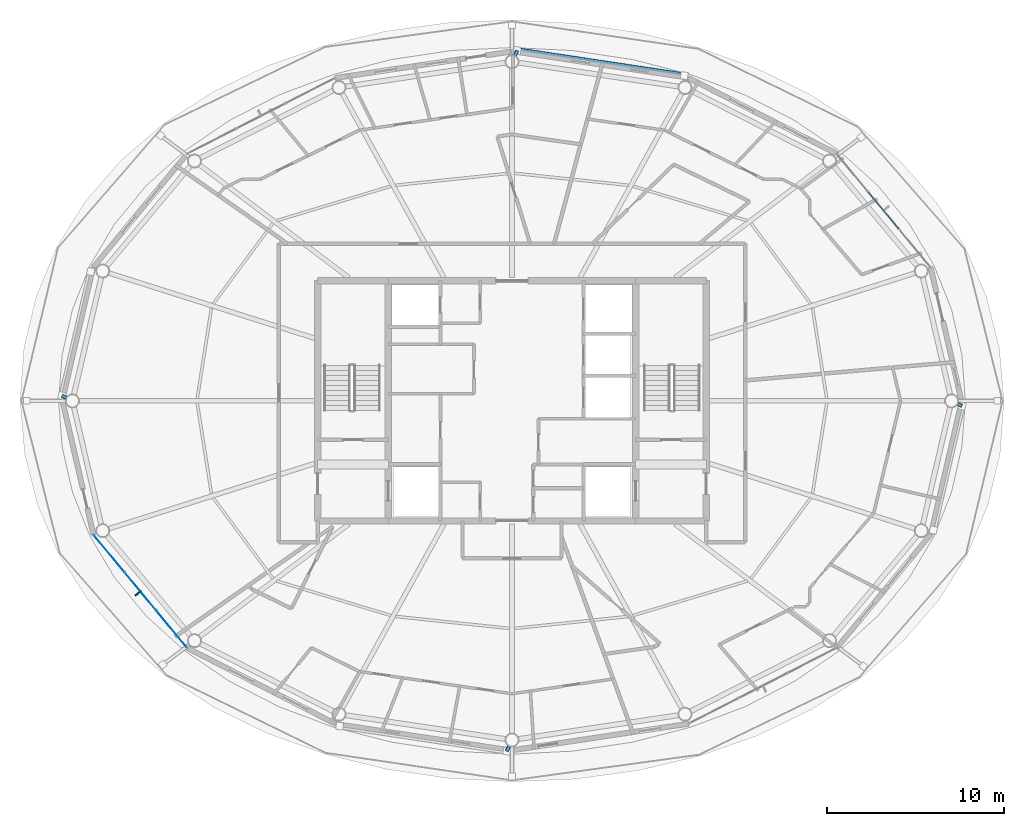
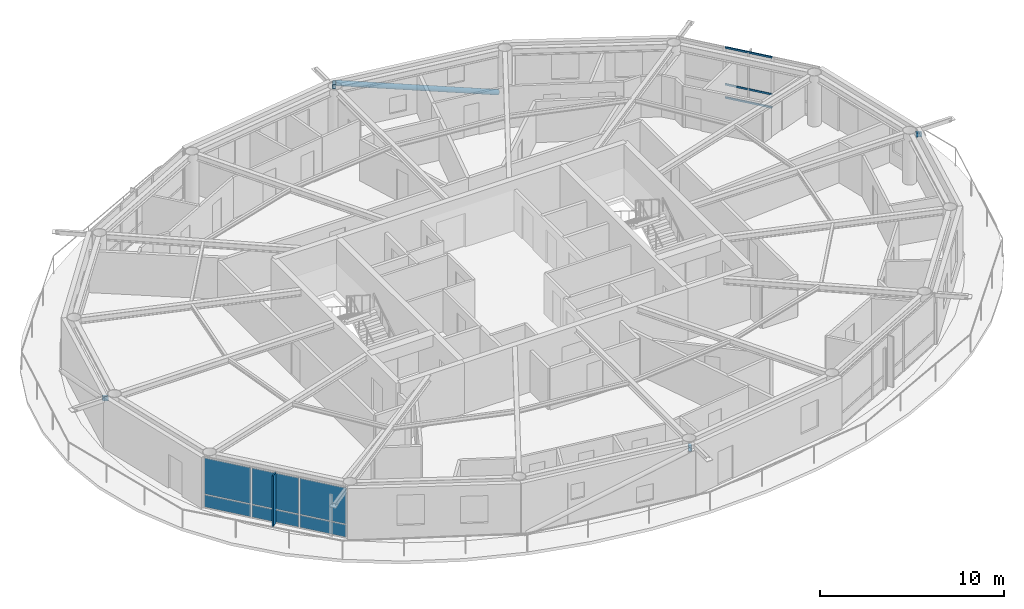
# One storey, part 12 of 23: 8 members, 7 plates, 2 elements without a shape of their own.
"""IFC4 building model written with IfcOpenShell, lengths in metres."""

from ifc_helpers import new_model, si_unit, direction, frame, origin, origin_2d, place, context, subcontext, project, spatial, rectangle, hollow_rectangle, hollow_circle, extrude, material, layer, layer_set, material_profile, profile_set, type_object, element, aggregate, save


model = new_model("IFC4")

# Units and contexts
model_context = context("Model", 3, precision=1e-05, world=origin(), true_north=direction((0.0, 1.0)))
body_context = subcontext(model_context, "Body", "Model", "MODEL_VIEW")
ifc_project = project(units=[si_unit("LENGTHUNIT", "METRE"), si_unit("AREAUNIT", "SQUARE_METRE"), si_unit("VOLUMEUNIT", "CUBIC_METRE"), si_unit("PLANEANGLEUNIT", "RADIAN"), si_unit("MASSUNIT", "GRAM", prefix="KILO")], contexts=[model_context])

# Site, building, storey
site_placement = place(None, origin())
site = spatial("IfcSite", under=ifc_project, at=site_placement, CompositionType="ELEMENT")
building_placement = place(site_placement, origin())
building = spatial("IfcBuilding", under=site, at=building_placement, Name="Sarneth Arch Tower", CompositionType="ELEMENT")
storey_placement = place(building_placement, frame((0.0, 0.0, 280.199951171875)))
storey = spatial("IfcBuildingStorey", under=building, at=storey_placement, Name="L72", CompositionType="ELEMENT", Elevation=280.199951171875)

# Curtain wall, members
ifc_material_1 = material(Name="Anodised aluminium Type AA25 and solar-control low-e laminated IGU", Category="aluminium")
ifc_layer_1 = layer(ifc_material_1, 0.179931640625)
ifc_layer_set_1 = layer_set([ifc_layer_1], Name="Anodised aluminium Type AA25 and solar-control low-e laminated IGU")
curtain_wall_type = type_object("IfcCurtainWallType", Name="CW-RES-HIGH", PredefinedType="NOTDEFINED", material=ifc_layer_set_1)
curtain_wall_1_placement = place(storey_placement, origin())
curtain_wall_1 = element("IfcCurtainWall", 1, at=curtain_wall_1_placement, inside=storey, type_object=curtain_wall_type, Name="L72 Unitised curtain wall facet 02", PredefinedType="NOTDEFINED")
ifc_material_2 = material(Name="Anodised Aluminium 6063-T6", Category="aluminium")
ifc_material_profile_1 = material_profile(ifc_material_2, hollow_rectangle(XDim=0.06005859375, YDim=0.1201171875, WallThickness=0.00390625, at=origin_2d()), Name="AL-TRAN-120x60x4")
ifc_profile_set_1 = profile_set([ifc_material_profile_1], Name="Anodised Aluminium 6063-T6")
member_type_1 = type_object("IfcMemberType", Name="CW-TRANSOM", PredefinedType="USERDEFINED", material=ifc_profile_set_1)
member_1_placement = place(storey_placement, frame((69.904296875, 51.731689453125, 0.030029296875), z_axis=(-0.637617371902, 0.770353222261, 0.0), x_axis=(-0.770353222261, -0.637617371902, 0.0)))
member_1 = element("IfcMember", 2, at=member_1_placement, type_object=member_type_1, Name="CW-SYS-6 transom 2.1", ObjectType="TRANSOM", PredefinedType="USERDEFINED", context=body_context, shape_type="SweptSolid", body=[
    extrude(hollow_rectangle(XDim=0.06005859375, YDim=0.1201171875, WallThickness=0.00390625, at=origin_2d()), origin(), (0.0, 0.0, 1.0), 2.716552734375),
])
member_2_placement = place(storey_placement, frame((69.904296875, 51.731689453125, 0.900146484375), z_axis=(-0.637617371902, 0.770353222261, 0.0), x_axis=(-0.770353222261, -0.637617371902, 0.0)))
member_2 = element("IfcMember", 3, at=member_2_placement, type_object=member_type_1, Name="CW-SYS-6 transom 2.2", ObjectType="TRANSOM", PredefinedType="USERDEFINED", context=body_context, shape_type="SweptSolid", body=[
    extrude(hollow_rectangle(XDim=0.06005859375, YDim=0.1201171875, WallThickness=0.00390625, at=origin_2d()), origin(), (0.0, 0.0, 1.0), 2.716552734375),
])
member_3_placement = place(storey_placement, frame((69.904296875, 51.731689453125, 3.340087890625), z_axis=(-0.637617371902, 0.770353222261, 0.0), x_axis=(-0.770353222261, -0.637617371902, 0.0)))
member_3 = element("IfcMember", 4, at=member_3_placement, type_object=member_type_1, Name="CW-SYS-6 transom 2.3", ObjectType="TRANSOM", PredefinedType="USERDEFINED", context=body_context, shape_type="SweptSolid", body=[
    extrude(hollow_rectangle(XDim=0.06005859375, YDim=0.1201171875, WallThickness=0.00390625, at=origin_2d()), origin(), (0.0, 0.0, 1.0), 2.716552734375),
])
aggregate(curtain_wall_1, [member_1, member_2, member_3])

# Members
ifc_material_3 = material(Name="Steel S355", Category="steel")
ifc_material_profile_2 = material_profile(ifc_material_3, hollow_rectangle(XDim=0.199951171875, YDim=0.300048828125, WallThickness=0.012451171875, InnerFilletRadius=0.018798828125, OuterFilletRadius=0.03125, at=origin_2d()), Name="RHS300x200x12.5")
ifc_profile_set_2 = profile_set([ifc_material_profile_2], Name="Steel S355")
member_type_2 = type_object("IfcMemberType", Name="MEM-CANT-STRUT", PredefinedType="STRUT", material=ifc_profile_set_2)
member_4_placement = place(storey_placement, frame((48.14501953125, 61.5107421875, 3.09228515625), z_axis=(0.423071936831, 0.906096096596, 0.0), x_axis=(-0.906096096596, 0.423071936831, 0.0)))
element("IfcMember", 5, at=member_4_placement, inside=storey, type_object=member_type_2, Name="L72 Exoskeleton brace node strut 04B", PredefinedType="STRUT", context=body_context, shape_type="SweptSolid", body=[
    extrude(hollow_rectangle(XDim=0.199951171875, YDim=0.300048828125, WallThickness=0.012451171875, InnerFilletRadius=0.018798828125, OuterFilletRadius=0.03125, at=origin_2d()), origin(), (0.0, 0.0, 1.0), 0.3583984375),
])
member_5_placement = place(storey_placement, frame((22.80908203125, 42.151611328125, 3.09228515625), z_axis=(-0.897170676041, 0.441684025128, 0.0), x_axis=(-0.441684025128, -0.897170676041, 0.0)))
element("IfcMember", 6, at=member_5_placement, inside=storey, type_object=member_type_2, Name="L72 Exoskeleton brace node strut 08B", PredefinedType="STRUT", context=body_context, shape_type="SweptSolid", body=[
    extrude(hollow_rectangle(XDim=0.199951171875, YDim=0.300048828125, WallThickness=0.012451171875, InnerFilletRadius=0.018798828125, OuterFilletRadius=0.03125, at=origin_2d()), origin(), (0.0, 0.0, 1.0), 0.318359375),
])
member_6_placement = place(storey_placement, frame((47.85498046875, 22.4892578125, 3.09228515625), z_axis=(-0.423071936831, -0.906096096596, 0.0), x_axis=(0.906096096596, -0.423071936831, 0.0)))
element("IfcMember", 7, at=member_6_placement, inside=storey, type_object=member_type_2, Name="L72 Exoskeleton brace node strut 12B", PredefinedType="STRUT", context=body_context, shape_type="SweptSolid", body=[
    extrude(hollow_rectangle(XDim=0.199951171875, YDim=0.300048828125, WallThickness=0.012451171875, InnerFilletRadius=0.018798828125, OuterFilletRadius=0.03125, at=origin_2d()), origin(), (0.0, 0.0, 1.0), 0.3583984375),
])
member_7_placement = place(storey_placement, frame((73.19091796875, 41.848388671875, 3.09228515625), z_axis=(0.897170676041, -0.441684025128, 0.0), x_axis=(0.441684025128, 0.897170676041, 0.0)))
element("IfcMember", 8, at=member_7_placement, inside=storey, type_object=member_type_2, Name="L72 Exoskeleton brace node strut 16B", PredefinedType="STRUT", context=body_context, shape_type="SweptSolid", body=[
    extrude(hollow_rectangle(XDim=0.199951171875, YDim=0.300048828125, WallThickness=0.012451171875, InnerFilletRadius=0.018798828125, OuterFilletRadius=0.03125, at=origin_2d()), origin(), (0.0, 0.0, 1.0), 0.318359375),
])
ifc_material_4 = material(Name="Steel S355", Category="steel")
ifc_material_profile_3 = material_profile(ifc_material_4, hollow_circle(Radius=0.162109375, WallThickness=0.012451171875, at=origin_2d()), Name="CHS324x12.5")
ifc_profile_set_3 = profile_set([ifc_material_profile_3], Name="Steel S355")
member_type_3 = type_object("IfcMemberType", Name="MEM-DIAG-BR3", PredefinedType="BRACE", material=ifc_profile_set_3)
member_8_placement = place(storey_placement, frame((57.754150390625, 60.411376953125, 0.02001953125), z_axis=(-0.941471055877, 0.141762627625, 0.305835917372), x_axis=(-0.148897148305, -0.988852688335, 0.0)))
element("IfcMember", 9, at=member_8_placement, inside=storey, type_object=member_type_3, Name="L72 Perimeter frame diagonal 04", PredefinedType="BRACE", context=body_context, shape_type="SweptSolid", body=[
    extrude(hollow_circle(Radius=0.162109375, WallThickness=0.012451171875, at=origin_2d()), origin(), (0.0, 0.0, 1.0), 10.04541015625),
])

# Curtain wall, plates
curtain_wall_2_placement = place(storey_placement, origin())
curtain_wall_2 = element("IfcCurtainWall", 10, at=curtain_wall_2_placement, inside=storey, type_object=curtain_wall_type, Name="L72 Unitised curtain wall facet 10", PredefinedType="NOTDEFINED")
ifc_material_5 = material(Name="Solar-control low-e laminated IGU", Category="glass")
ifc_layer_2 = layer(ifc_material_5, 0.028076171875)
ifc_layer_set_2 = layer_set([ifc_layer_2], Name="Solar-control low-e laminated IGU")
plate_type_1 = type_object("IfcPlateType", Name="CW-PANEL", PredefinedType="CURTAIN_PANEL", material=ifc_layer_set_2)
plate_1_placement = place(storey_placement, frame((25.200927734375, 33.349365234375, 0.06005859375), z_axis=(0.0, 0.0, 1.0), x_axis=(0.637610094184, -0.770359245933, 0.0)))
plate_1 = element("IfcPlate", 11, at=plate_1_placement, type_object=plate_type_1, Name="Curtain wall glazed vision pane CW-L72-F10/P00-00", PredefinedType="CURTAIN_PANEL", context=body_context, shape_type="SweptSolid", body=[
    extrude(rectangle(XDim=2.686767578125, YDim=0.028076171875, at=origin_2d()), origin(), (0.0, 0.0, 1.0), 0.81005859375),
])
plate_2_placement = place(storey_placement, frame((25.200927734375, 33.349365234375, 0.93017578125), z_axis=(0.0, 0.0, 1.0), x_axis=(0.637610094184, -0.770359245933, 0.0)))
plate_2 = element("IfcPlate", 12, at=plate_2_placement, type_object=plate_type_1, Name="Curtain wall glazed vision pane CW-L72-F10/P00-01", PredefinedType="CURTAIN_PANEL", context=body_context, shape_type="SweptSolid", body=[
    extrude(rectangle(XDim=2.686767578125, YDim=0.028076171875, at=origin_2d()), origin(), (0.0, 0.0, 1.0), 2.3798828125),
])
plate_3_placement = place(storey_placement, frame((26.9619140625, 31.221923828125, 0.06005859375), z_axis=(0.0, 0.0, 1.0), x_axis=(0.637610094184, -0.770359245933, 0.0)))
plate_3 = element("IfcPlate", 13, at=plate_3_placement, type_object=plate_type_1, Name="Curtain wall glazed vision pane CW-L72-F10/P01-00", PredefinedType="CURTAIN_PANEL", context=body_context, shape_type="SweptSolid", body=[
    extrude(rectangle(XDim=2.716552734375, YDim=0.028076171875, at=origin_2d()), origin(), (0.0, 0.0, 1.0), 0.81005859375),
])
plate_4_placement = place(storey_placement, frame((26.9619140625, 31.221923828125, 0.93017578125), z_axis=(0.0, 0.0, 1.0), x_axis=(0.637610094184, -0.770359245933, 0.0)))
plate_4 = element("IfcPlate", 14, at=plate_4_placement, type_object=plate_type_1, Name="Curtain wall glazed vision pane CW-L72-F10/P01-01", PredefinedType="CURTAIN_PANEL", context=body_context, shape_type="SweptSolid", body=[
    extrude(rectangle(XDim=2.716552734375, YDim=0.028076171875, at=origin_2d()), origin(), (0.0, 0.0, 1.0), 2.3798828125),
])
plate_5_placement = place(storey_placement, frame((28.72265625, 29.094482421875, 0.06005859375), z_axis=(0.0, 0.0, 1.0), x_axis=(0.637610094184, -0.770359245933, 0.0)))
plate_5 = element("IfcPlate", 15, at=plate_5_placement, type_object=plate_type_1, Name="Curtain wall glazed vision pane CW-L72-F10/P02-00", PredefinedType="CURTAIN_PANEL", context=body_context, shape_type="SweptSolid", body=[
    extrude(rectangle(XDim=2.686767578125, YDim=0.028076171875, at=origin_2d()), origin(), (0.0, 0.0, 1.0), 0.81005859375),
])
plate_6_placement = place(storey_placement, frame((28.72265625, 29.094482421875, 0.93017578125), z_axis=(0.0, 0.0, 1.0), x_axis=(0.637610094184, -0.770359245933, 0.0)))
plate_6 = element("IfcPlate", 16, at=plate_6_placement, type_object=plate_type_1, Name="Curtain wall glazed vision pane CW-L72-F10/P02-01", PredefinedType="CURTAIN_PANEL", context=body_context, shape_type="SweptSolid", body=[
    extrude(rectangle(XDim=2.686767578125, YDim=0.028076171875, at=origin_2d()), origin(), (0.0, 0.0, 1.0), 2.3798828125),
])
aggregate(curtain_wall_2, [plate_1, plate_2, plate_3, plate_4, plate_5, plate_6])

# Plate
ifc_material_6 = material(Name="Extruded glazed terracotta baguette fin on Aluminium 6063-T6 carrier", Category="masonry")
ifc_layer_3 = layer(ifc_material_6, 0.080078125)
ifc_layer_set_3 = layer_set([ifc_layer_3], Name="Extruded glazed terracotta baguette fin on Aluminium 6063-T6 carrier")
plate_type_2 = type_object("IfcPlateType", Name="SHADE-TERRA-FIN", PredefinedType="SHEET", material=ifc_layer_set_3)
plate_7_placement = place(storey_placement, frame((26.830810546875, 31.113525390625, 0.010009765625), z_axis=(0.0, 0.0, 1.0), x_axis=(-0.770401979567, -0.63755845997, 0.0)))
element("IfcPlate", 17, at=plate_7_placement, inside=storey, type_object=plate_type_2, Name="L72 Terracotta vertical shading fin 10", PredefinedType="SHEET", context=body_context, shape_type="SweptSolid", body=[
    extrude(rectangle(XDim=0.419921875, YDim=0.080078125, at=origin_2d()), origin(), (0.0, 0.0, 1.0), 3.35009765625),
])

save(model, "model.ifc")
